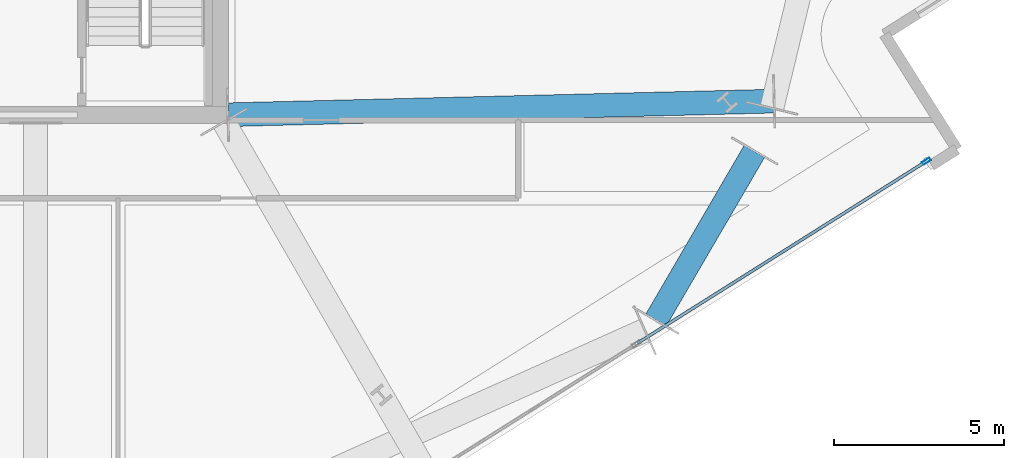
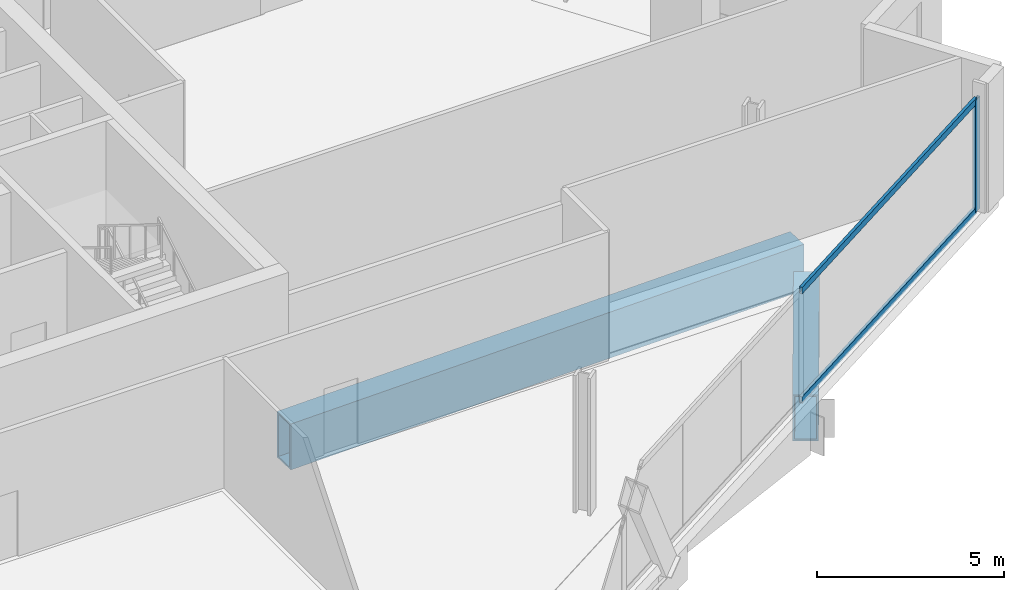
# One storey, part 7 of 29: 3 members, 2 beams, 1 element without a shape of its own.
"""IFC4 building model written with IfcOpenShell, lengths in metres."""

from ifc_helpers import new_model, si_unit, direction, frame, origin, origin_2d, place, context, subcontext, project, spatial, hollow_rectangle, extrude, material, material_profile, profile_set, type_object, element, aggregate, save


model = new_model("IFC4")

# Units and contexts
model_context = context("Model", 3, precision=1e-05, world=origin(), true_north=direction((0.0, 1.0)))
body_context = subcontext(model_context, "Body", "Model", "MODEL_VIEW")
ifc_project = project(units=[si_unit("LENGTHUNIT", "METRE"), si_unit("AREAUNIT", "SQUARE_METRE"), si_unit("VOLUMEUNIT", "CUBIC_METRE"), si_unit("PLANEANGLEUNIT", "RADIAN"), si_unit("MASSUNIT", "GRAM", prefix="KILO")], contexts=[model_context])

# Site, building, storey
site_placement = place(None, origin())
site = spatial("IfcSite", under=ifc_project, at=site_placement, CompositionType="ELEMENT")
building_placement = place(site_placement, origin())
building = spatial("IfcBuilding", under=site, at=building_placement, Name="Haldenkirk Collegiate Tower", CompositionType="ELEMENT")
storey_placement = place(building_placement, frame((0.0, 0.0, 136.199951171875)))
storey = spatial("IfcBuildingStorey", under=building, at=storey_placement, Name="L33", CompositionType="ELEMENT", Elevation=136.199951171875)

# Beams
ifc_material_1 = material(Name="Steel ASTM A572 Grade 50", Category="steel")
ifc_material_profile_1 = material_profile(ifc_material_1, hollow_rectangle(XDim=0.699951171875, YDim=1.5, WallThickness=0.06005859375, at=origin_2d()), Name="BOX1500X700X60")
ifc_profile_set_1 = profile_set([ifc_material_profile_1], Name="Steel ASTM A572 Grade 50")
beam_type = type_object("IfcBeamType", Name="BM-TRANSFER-BOX1500X700X60", PredefinedType="BEAM", material=ifc_profile_set_1)
beam_1_placement = place(storey_placement, frame((57.86181640625, 11.958251953125, -1.14990234375), z_axis=(0.503667660107, 0.863897498643, 0.0), x_axis=(-0.863897498643, 0.503667660107, 0.0)))
element("IfcBeam", 1, at=beam_1_placement, inside=storey, type_object=beam_type, Name="L33 sky-lobby perimeter transfer girder 04", PredefinedType="BEAM", context=body_context, shape_type="SweptSolid", body=[
    extrude(hollow_rectangle(XDim=0.699951171875, YDim=1.5, WallThickness=0.06005859375, at=origin_2d()), origin(), (0.0, 0.0, 1.0), 5.747802734375),
])
beam_2_placement = place(storey_placement, frame((61.3232421875, 18.406982421875, -1.14990234375), z_axis=(-0.99968931394, -0.024925400574, 0.0), x_axis=(0.024925400574, -0.99968931394, 0.0)))
element("IfcBeam", 2, at=beam_2_placement, inside=storey, type_object=beam_type, Name="L33 sky-lobby radial transfer girder 07", PredefinedType="BEAM", context=body_context, shape_type="SweptSolid", body=[
    extrude(hollow_rectangle(XDim=0.699951171875, YDim=1.5, WallThickness=0.06005859375, at=origin_2d()), origin(), (0.0, 0.0, 1.0), 16.0732421875),
])

# Curtain wall, members
ifc_material_2 = material(Name="Anodised architectural bronze aluminium", Category="aluminium")
curtain_wall_type = type_object("IfcCurtainWallType", Name="CW-SYS4-SKYGARDEN", PredefinedType="USERDEFINED", material=ifc_material_2)
curtain_wall_placement = place(storey_placement, origin())
curtain_wall = element("IfcCurtainWall", 3, at=curtain_wall_placement, inside=storey, type_object=curtain_wall_type, Name="L33 Sky-garden tall bronze curtain wall", ObjectType="UNITISED CURTAIN WALL", PredefinedType="USERDEFINED")
ifc_material_profile_2 = material_profile(ifc_material_2, hollow_rectangle(XDim=0.090087890625, YDim=0.260009765625, WallThickness=0.0048828125, at=origin_2d()), Name="CW-MUL-04")
ifc_profile_set_2 = profile_set([ifc_material_profile_2], Name="Anodised architectural bronze aluminium")
member_type_1 = type_object("IfcMemberType", Name="CW-MUL-04", PredefinedType="MULLION", material=ifc_profile_set_2)
member_1_placement = place(storey_placement, frame((65.832763671875, 16.636962890625, 0.0), z_axis=(0.0, 0.0, 1.0), x_axis=(0.532875393956, -0.846193721624, 0.0)))
member_1 = element("IfcMember", 4, at=member_1_placement, type_object=member_type_1, Name="CW-04 mullion 1", PredefinedType="MULLION", context=body_context, shape_type="SweptSolid", body=[
    extrude(hollow_rectangle(XDim=0.090087890625, YDim=0.260009765625, WallThickness=0.0048828125, at=origin_2d()), origin(), (0.0, 0.0, 1.0), 3.6611328125),
])
ifc_material_profile_3 = material_profile(ifc_material_2, hollow_rectangle(XDim=0.090087890625, YDim=0.2099609375, WallThickness=0.0048828125, at=origin_2d()), Name="CW-TRN-04")
ifc_profile_set_3 = profile_set([ifc_material_profile_3], Name="Anodised architectural bronze aluminium")
member_type_2 = type_object("IfcMemberType", Name="CW-TRN-04", PredefinedType="USERDEFINED", material=ifc_profile_set_3)
member_2_placement = place(storey_placement, frame((65.794677734375, 16.613037109375, 0.045166015625), z_axis=(-0.846196606927, -0.532870812135, 0.0), x_axis=(0.532870812135, -0.846196606927, 0.0)))
member_2 = element("IfcMember", 5, at=member_2_placement, type_object=member_type_2, Name="CW-04 transom 1.1", ObjectType="TRANSOM", PredefinedType="USERDEFINED", context=body_context, shape_type="SweptSolid", body=[
    extrude(hollow_rectangle(XDim=0.090087890625, YDim=0.2099609375, WallThickness=0.0048828125, at=origin_2d()), origin(), (0.0, 0.0, 1.0), 10.014892578125),
])
member_3_placement = place(storey_placement, frame((65.794677734375, 16.613037109375, 3.615966796875), z_axis=(-0.846196606927, -0.532870812135, 0.0), x_axis=(0.532870812135, -0.846196606927, 0.0)))
member_3 = element("IfcMember", 6, at=member_3_placement, type_object=member_type_2, Name="CW-04 transom 1.2", ObjectType="TRANSOM", PredefinedType="USERDEFINED", context=body_context, shape_type="SweptSolid", body=[
    extrude(hollow_rectangle(XDim=0.090087890625, YDim=0.2099609375, WallThickness=0.0048828125, at=origin_2d()), origin(), (0.0, 0.0, 1.0), 10.014892578125),
])
aggregate(curtain_wall, [member_1, member_2, member_3])

save(model, "model.ifc")
